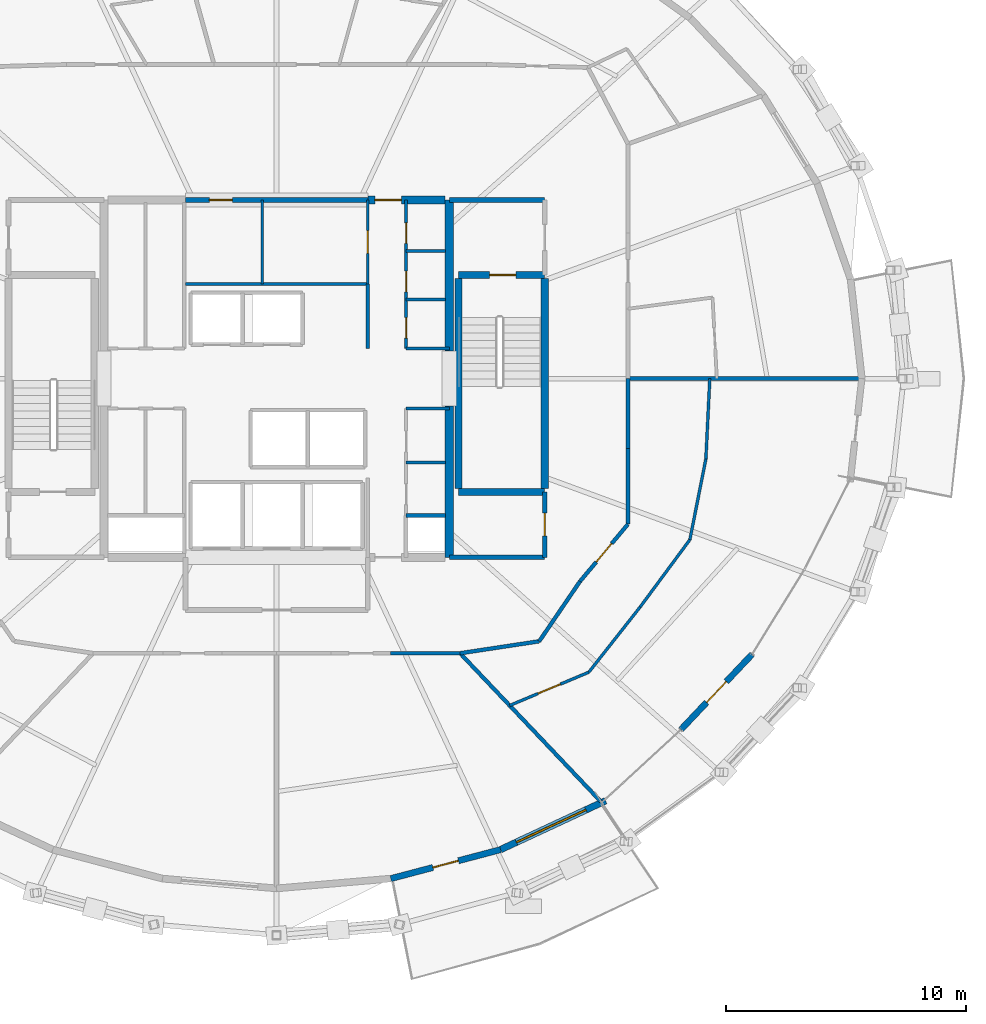
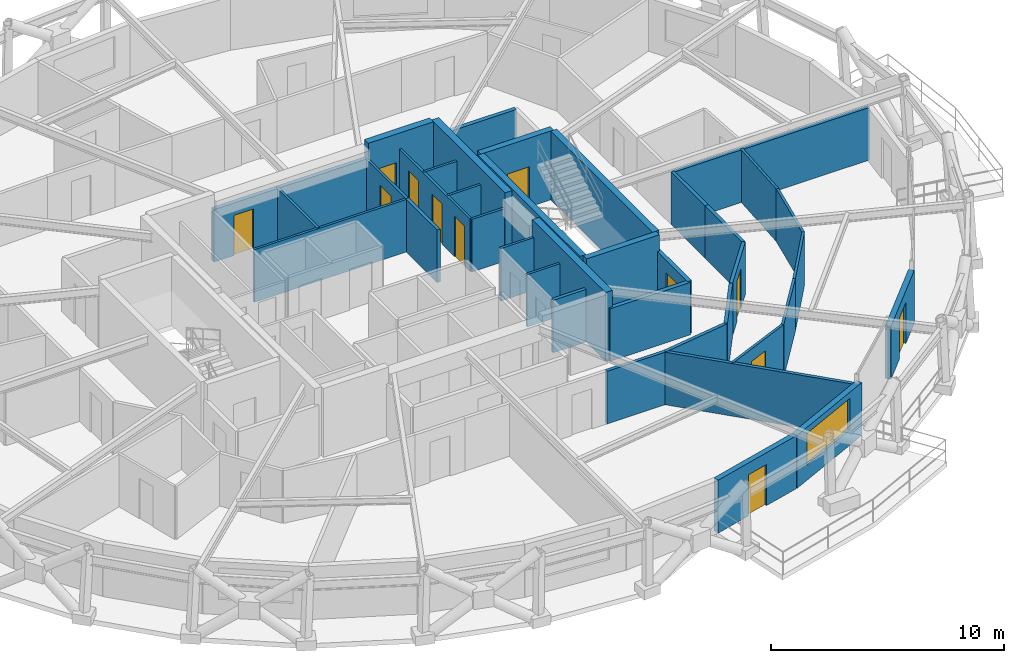
# One storey, part 11 of 14: 38 walls, 12 doors, 1 window, 13 openings.
"""IFC4 building model written with IfcOpenShell, lengths in metres."""

from ifc_helpers import new_model, si_unit, direction, frame, frame_2d, origin, place, context, subcontext, project, spatial, rectangle, extrude, material, layer, layer_set, type_object, element, fill, save


model = new_model("IFC4")

# Units and contexts
model_context = context("Model", 3, precision=1e-05, world=origin(), true_north=direction((0.0, 1.0)))
body_context = subcontext(model_context, "Body", "Model", "MODEL_VIEW")
ifc_project = project(units=[si_unit("LENGTHUNIT", "METRE"), si_unit("AREAUNIT", "SQUARE_METRE"), si_unit("VOLUMEUNIT", "CUBIC_METRE"), si_unit("PLANEANGLEUNIT", "RADIAN"), si_unit("MASSUNIT", "GRAM", prefix="KILO")], contexts=[model_context])

# Site, building, storey
site_placement = place(None, origin())
site = spatial("IfcSite", under=ifc_project, at=site_placement, CompositionType="ELEMENT")
building_placement = place(site_placement, origin())
building = spatial("IfcBuilding", under=site, at=building_placement, Name="Veldorina Hangang Commons", CompositionType="ELEMENT")
storey_placement = place(building_placement, frame((0.0, 0.0, 200.0)))
storey = spatial("IfcBuildingStorey", under=building, at=storey_placement, Name="L52", CompositionType="ELEMENT", Elevation=200.0)

# Walls
ifc_material_1 = material(Name="Concrete C60/75", Category="concrete")
ifc_layer_1 = layer(ifc_material_1, 0.340087890625)
ifc_layer_set_1 = layer_set([ifc_layer_1], Name="Concrete C60/75")
wall_type_1 = type_object("IfcWallType", Name="CW-RC340-C60", PredefinedType="SHEAR", material=ifc_layer_set_1)
for number, where, z_axis, x_axis, name in (
    (1, (39.199951171875, 16.550048828125, 0.0), (0.0, 0.0, 1.0), (0.0, 1.0, 0.0), "L52 E south core shear wall"),
    (2, (39.199951171875, 25.14990234375, 0.0), (0.0, 0.0, 1.0), (0.0, 1.0, 0.0), "L52 E north core shear wall"),
):
    element("IfcWall", number, at=place(storey_placement, frame(where, z_axis=z_axis, x_axis=x_axis)), inside=storey, type_object=wall_type_1, Name=name, PredefinedType="SHEAR", context=body_context, shape_type="SweptSolid", body=[
        extrude(rectangle(XDim=6.300048828125, YDim=0.340087890625, at=frame_2d((3.14990234375, 0.0))), origin(), (0.0, 0.0, 1.0), 3.60009765625),
    ])

# Wall, opening, door
wall_1_placement = place(storey_placement, frame((35.800048828125, 31.449951171875, 0.0), z_axis=(0.0, 0.0, 1.0), x_axis=(1.0, 0.0, 0.0)))
wall_1 = element("IfcWall", 3, at=wall_1_placement, inside=storey, type_object=wall_type_1, Name="L52 north-east core shear wall", PredefinedType="SHEAR", context=body_context, shape_type="SweptSolid", body=[
    extrude(rectangle(XDim=3.22998046875, YDim=0.340087890625, at=frame_2d((1.614990234375, 0.0))), origin(), (0.0, 0.0, 1.0), 3.60009765625),
])
opening_1_placement = place(wall_1_placement, frame((0.300048828125, 0.0, 0.0)))
opening_1 = element("IfcOpeningElement", 4, at=opening_1_placement, cuts=wall_1, Name="Opening D-08", PredefinedType="OPENING", context=body_context, shape_type="SweptSolid", body=[
    extrude(rectangle(XDim=1.10009765625, YDim=2.10009765625, at=frame_2d((0.550048828125, 1.050048828125))), frame((0.0, 0.18017578125, 0.0), z_axis=(0.0, -1.0, 0.0), x_axis=(1.0, 0.0, 0.0)), (0.0, 0.0, 1.0), 0.360107421875),
])
ifc_material_2 = material(Name="Steel Fire-Rated Smoke Seal", Category="steel")
door_type_1 = type_object("IfcDoorType", Name="DR-FIRE-1100", OperationType="SINGLE_SWING_RIGHT", PredefinedType="DOOR", material=ifc_material_2)
door_1_placement = place(opening_1_placement, origin())
door_1 = element("IfcDoor", 5, at=door_1_placement, inside=storey, type_object=door_type_1, Name="L52 central lift lobby north corridor door", OperationType="SINGLE_SWING_LEFT", OverallHeight=2.10009765625, OverallWidth=1.10009765625, PredefinedType="DOOR", context=body_context, shape_type="SweptSolid", body=[
    extrude(rectangle(XDim=1.10009765625, YDim=2.10009765625, at=frame_2d((0.550048828125, 1.050048828125))), frame((0.0, 0.02490234375, 0.0), z_axis=(0.0, -1.0, 0.0), x_axis=(1.0, 0.0, 0.0)), (0.0, 0.0, 1.0), 0.050048828125),
])
fill(opening_1, door_1)

ifc_material_3 = material(Name="Stone Roman Travertine", Category="masonry")
ifc_layer_2 = layer(ifc_material_3, 0.260009765625)
ifc_layer_set_2 = layer_set([ifc_layer_2], Name="Stone Roman Travertine")
wall_type_2 = type_object("IfcWallType", Name="EW-LOGGIA-260", PredefinedType="STANDARD", material=ifc_layer_set_2)
wall_2_placement = place(storey_placement, frame((36.76025390625, 3.1533203125, 0.0), z_axis=(0.0, 0.0, 1.0), x_axis=(0.966819561224, 0.255460243549, 0.0)))
wall_2 = element("IfcWall", 6, at=wall_2_placement, inside=storey, type_object=wall_type_2, Name="L52 sky-garden loggia portal wall 25", PredefinedType="STANDARD", context=body_context, shape_type="SweptSolid", body=[
    extrude(rectangle(XDim=4.734375, YDim=0.260009765625, at=frame_2d((2.3671875, 0.0))), origin(), (0.0, 0.0, 1.0), 2.77001953125),
])
opening_2_placement = place(wall_2_placement, frame((1.8173828125, 0.0, 0.0)))
opening_2 = element("IfcOpeningElement", 7, at=opening_2_placement, cuts=wall_2, Name="Opening BD-1100", PredefinedType="OPENING", context=body_context, shape_type="SweptSolid", body=[
    extrude(rectangle(XDim=1.10009765625, YDim=2.14990234375, at=frame_2d((0.550048828125, 1.074951171875))), frame((0.0, 0.14013671875, 0.0), z_axis=(0.0, -1.0, 0.0), x_axis=(1.0, 0.0, 0.0)), (0.0, 0.0, 1.0), 0.280029296875),
])
ifc_material_4 = material(Name="Glass Thermal Aluminium Frame", Category="aluminium")
door_type_2 = type_object("IfcDoorType", Name="DR-EXT-BAL1100", OperationType="SINGLE_SWING_RIGHT", PredefinedType="DOOR", material=ifc_material_4)
door_2_placement = place(opening_2_placement, origin())
door_2 = element("IfcDoor", 8, at=door_2_placement, inside=storey, type_object=door_type_2, Name="L52 tree balcony glazed exterior door 25", OperationType="SINGLE_SWING_RIGHT", OverallHeight=2.14990234375, OverallWidth=1.10009765625, PredefinedType="DOOR", context=body_context, shape_type="SweptSolid", body=[
    extrude(rectangle(XDim=1.10009765625, YDim=2.14990234375, at=frame_2d((0.550048828125, 1.074951171875))), frame((0.0, 0.02490234375, 0.0), z_axis=(0.0, -1.0, 0.0), x_axis=(1.0, 0.0, 0.0)), (0.0, 0.0, 1.0), 0.050048828125),
])
fill(opening_2, door_2)

wall_3_placement = place(storey_placement, frame((48.85791015625, 9.3662109375, 0.0), z_axis=(0.0, 0.0, 1.0), x_axis=(0.686972279874, 0.726683622139, 0.0)))
wall_3 = element("IfcWall", 9, at=wall_3_placement, inside=storey, type_object=wall_type_2, Name="L52 sky-garden loggia portal wall 28", PredefinedType="STANDARD", context=body_context, shape_type="SweptSolid", body=[
    extrude(rectangle(XDim=4.31591796875, YDim=0.260009765625, at=frame_2d((2.157958984375, 0.0))), origin(), (0.0, 0.0, 1.0), 2.77001953125),
])
opening_3_placement = place(wall_3_placement, frame((1.557861328125, 0.0, 0.0)))
opening_3 = element("IfcOpeningElement", 10, at=opening_3_placement, cuts=wall_3, Name="Opening BD-1200", PredefinedType="OPENING", context=body_context, shape_type="SweptSolid", body=[
    extrude(rectangle(XDim=1.199951171875, YDim=2.14990234375, at=frame_2d((0.60009765625, 1.074951171875))), frame((0.0, 0.14013671875, 0.0), z_axis=(0.0, -1.0, 0.0), x_axis=(1.0, 0.0, 0.0)), (0.0, 0.0, 1.0), 0.280029296875),
])
door_type_3 = type_object("IfcDoorType", Name="DR-EXT-LOG1200", OperationType="SINGLE_SWING_LEFT", PredefinedType="DOOR", material=ifc_material_4)
door_3_placement = place(opening_3_placement, origin())
door_3 = element("IfcDoor", 11, at=door_3_placement, inside=storey, type_object=door_type_3, Name="L52 loggia glazed exterior door 28", OperationType="SINGLE_SWING_LEFT", OverallHeight=2.14990234375, OverallWidth=1.199951171875, PredefinedType="DOOR", context=body_context, shape_type="SweptSolid", body=[
    extrude(rectangle(XDim=1.199951171875, YDim=2.14990234375, at=frame_2d((0.60009765625, 1.074951171875))), frame((0.0, 0.02490234375, 0.0), z_axis=(0.0, -1.0, 0.0), x_axis=(1.0, 0.0, 0.0)), (0.0, 0.0, 1.0), 0.050048828125),
])
fill(opening_3, door_3)

# Wall, opening, window
ifc_layer_3 = layer(ifc_material_3, 0.280029296875)
ifc_layer_set_3 = layer_set([ifc_layer_3], Name="Stone Roman Travertine")
wall_type_3 = type_object("IfcWallType", Name="EW-TRAV-280", PredefinedType="STANDARD", material=ifc_layer_set_3)
wall_4_placement = place(storey_placement, frame((41.337646484375, 4.36279296875, 0.0), z_axis=(0.0, 0.0, 1.0), x_axis=(0.906549700707, 0.422099088068, 0.0)))
wall_4 = element("IfcWall", 12, at=wall_4_placement, inside=storey, type_object=wall_type_3, Name="L52 travertine facade wall 26", PredefinedType="STANDARD", context=body_context, shape_type="SweptSolid", body=[
    extrude(rectangle(XDim=4.827880859375, YDim=0.280029296875, at=frame_2d((2.4140625, 0.0))), origin(), (0.0, 0.0, 1.0), 2.77001953125),
])
opening_4_placement = place(wall_4_placement, frame((0.726806640625, 0.0, 0.800048828125)))
opening_4 = element("IfcOpeningElement", 13, at=opening_4_placement, cuts=wall_4, Name="Opening W-01", PredefinedType="OPENING", context=body_context, shape_type="SweptSolid", body=[
    extrude(rectangle(XDim=3.199951171875, YDim=1.64990234375, at=frame_2d((1.60009765625, 0.824951171875))), frame((0.0, 0.14990234375, 0.0), z_axis=(0.0, -1.0, 0.0), x_axis=(1.0, 0.0, 0.0)), (0.0, 0.0, 1.0), 0.300048828125),
])
ifc_material_5 = material(Name="Glass Low-E Triple IGU", Category="glass")
window_type = type_object("IfcWindowType", Name="WIN-TWR-3200", PartitioningType="SINGLE_PANEL", PredefinedType="WINDOW", material=ifc_material_5)
window_placement = place(opening_4_placement, origin())
window = element("IfcWindow", 14, at=window_placement, inside=storey, type_object=window_type, Name="L52 facade window 26", OverallHeight=1.64990234375, OverallWidth=3.199951171875, PartitioningType="SINGLE_PANEL", PredefinedType="WINDOW", context=body_context, shape_type="SweptSolid", body=[
    extrude(rectangle(XDim=3.199951171875, YDim=1.64990234375, at=frame_2d((1.60009765625, 0.824951171875))), frame((0.0, 0.030029296875, 0.0), z_axis=(0.0, -1.0, 0.0), x_axis=(1.0, 0.0, 0.0)), (0.0, 0.0, 1.0), 0.06005859375),
])
fill(opening_4, window)

# Walls
ifc_material_6 = material(Name="Concrete C50/60", Category="concrete")
ifc_layer_4 = layer(ifc_material_6, 0.300048828125)
ifc_layer_set_4 = layer_set([ifc_layer_4], Name="Concrete C50/60")
wall_type_4 = type_object("IfcWallType", Name="SW-STAIR-300", PredefinedType="SHEAR", material=ifc_layer_set_4)
for number, where, z_axis, x_axis, name in (
    (15, (43.179931640625, 19.429931640625, 0.0), (0.0, 0.0, 1.0), (0.0, 1.0, 0.0), "L52 ST2 outer stair shear wall"),
    (16, (39.580078125, 19.429931640625, 0.0), (0.0, 0.0, 1.0), (0.0, 1.0, 0.0), "L52 ST2 inner stair shear wall"),
):
    element("IfcWall", number, at=place(storey_placement, frame(where, z_axis=z_axis, x_axis=x_axis)), inside=storey, type_object=wall_type_4, Name=name, PredefinedType="SHEAR", context=body_context, shape_type="SweptSolid", body=[
        extrude(rectangle(XDim=8.739990234375, YDim=0.300048828125, at=frame_2d((4.3701171875, 0.0))), origin(), (0.0, 0.0, 1.0), 3.60009765625),
    ])
wall_5_placement = place(storey_placement, frame((39.580078125, 19.280029296875, 0.0), z_axis=(0.0, 0.0, 1.0), x_axis=(1.0, 0.0, 0.0)))
element("IfcWall", 17, at=wall_5_placement, inside=storey, type_object=wall_type_4, Name="L52 ST2 south stair shear wall", PredefinedType="SHEAR", context=body_context, shape_type="SweptSolid", body=[
    extrude(rectangle(XDim=3.599853515625, YDim=0.300048828125, at=frame_2d((1.7998046875, 0.0))), origin(), (0.0, 0.0, 1.0), 3.60009765625),
])

# Wall, opening, door
wall_6_placement = place(storey_placement, frame((39.580078125, 28.320068359375, 0.0), z_axis=(0.0, 0.0, 1.0), x_axis=(1.0, 0.0, 0.0)))
wall_6 = element("IfcWall", 18, at=wall_6_placement, inside=storey, type_object=wall_type_4, Name="L52 ST2 north stair shear wall", PredefinedType="SHEAR", context=body_context, shape_type="SweptSolid", body=[
    extrude(rectangle(XDim=3.599853515625, YDim=0.300048828125, at=frame_2d((1.7998046875, 0.0))), origin(), (0.0, 0.0, 1.0), 3.60009765625),
])
opening_5_placement = place(wall_6_placement, frame((1.300048828125, 0.0, 0.0)))
opening_5 = element("IfcOpeningElement", 19, at=opening_5_placement, cuts=wall_6, Name="Opening D-08", PredefinedType="OPENING", context=body_context, shape_type="SweptSolid", body=[
    extrude(rectangle(XDim=1.10009765625, YDim=2.10009765625, at=frame_2d((0.550048828125, 1.050048828125))), frame((0.0, 0.16015625, 0.0), z_axis=(0.0, -1.0, 0.0), x_axis=(1.0, 0.0, 0.0)), (0.0, 0.0, 1.0), 0.320068359375),
])
door_4_placement = place(opening_5_placement, origin())
door_4 = element("IfcDoor", 20, at=door_4_placement, inside=storey, type_object=door_type_1, Name="L52 Special Escape Stair ST-2 door", OperationType="SINGLE_SWING_RIGHT", OverallHeight=2.10009765625, OverallWidth=1.10009765625, PredefinedType="DOOR", context=body_context, shape_type="SweptSolid", body=[
    extrude(rectangle(XDim=1.10009765625, YDim=2.10009765625, at=frame_2d((0.550048828125, 1.050048828125))), frame((0.0, 0.02490234375, 0.0), z_axis=(0.0, -1.0, 0.0), x_axis=(1.0, 0.0, 0.0)), (0.0, 0.0, 1.0), 0.050048828125),
])
fill(opening_5, door_4)

# Walls
ifc_material_7 = material(Name="Gypsum Fire-Rated Twin Stud Wall", Category="gypsum")
ifc_layer_5 = layer(ifc_material_7, 0.159912109375)
ifc_layer_set_5 = layer_set([ifc_layer_5], Name="Gypsum Fire-Rated Twin Stud Wall")
wall_type_5 = type_object("IfcWallType", Name="WL-FIRE-160", PredefinedType="SOLIDWALL", material=ifc_layer_set_5)
wall_7_placement = place(storey_placement, frame((35.800048828125, 25.25, 0.0), z_axis=(0.0, 0.0, 1.0), x_axis=(0.0, 1.0, 0.0)))
element("IfcWall", 21, at=wall_7_placement, inside=storey, type_object=wall_type_5, Name="L52 Lift passage NW lower wall 011", PredefinedType="SOLIDWALL", context=body_context, shape_type="SweptSolid", body=[
    extrude(rectangle(XDim=2.699951171875, YDim=0.159912109375, at=frame_2d((1.35009765625, 0.0))), origin(), (0.0, 0.0, 1.0), 2.75),
])
wall_8_placement = place(storey_placement, frame((37.39990234375, 18.300048828125, 0.0), z_axis=(0.0, 0.0, 1.0), x_axis=(1.0, 0.0, 0.0)))
element("IfcWall", 22, at=wall_8_placement, inside=storey, type_object=wall_type_5, Name="L52 Plumbing riser wall 037", PredefinedType="SOLIDWALL", context=body_context, shape_type="SweptSolid", body=[
    extrude(rectangle(XDim=1.650146484375, YDim=0.159912109375, at=frame_2d((0.8251953125, 0.0))), origin(), (0.0, 0.0, 1.0), 2.75),
])
wall_9_placement = place(storey_placement, frame((36.74267578125, 12.550048828125, 0.0), z_axis=(0.0, 0.0, 1.0), x_axis=(1.0, 0.0, 0.0)))
element("IfcWall", 23, at=wall_9_placement, inside=storey, type_object=wall_type_5, Name="L52 U-corridor outer wall 26 076", PredefinedType="SOLIDWALL", context=body_context, shape_type="SweptSolid", body=[
    extrude(rectangle(XDim=2.907958984375, YDim=0.159912109375, at=frame_2d((1.4541015625, 0.0))), origin(), (0.0, 0.0, 1.0), 2.75),
])
wall_10_placement = place(storey_placement, frame((39.650634765625, 12.550048828125, 0.0), z_axis=(0.0, 0.0, 1.0), x_axis=(0.988710906508, 0.149835721217, 0.0)))
element("IfcWall", 24, at=wall_10_placement, inside=storey, type_object=wall_type_5, Name="L52 U-corridor outer wall 27 077", PredefinedType="SOLIDWALL", context=body_context, shape_type="SweptSolid", body=[
    extrude(rectangle(XDim=3.3369140625, YDim=0.159912109375, at=frame_2d((1.66845703125, 0.0))), origin(), (0.0, 0.0, 1.0), 2.75),
])
wall_11_placement = place(storey_placement, frame((42.949951171875, 13.050048828125, 0.0), z_axis=(0.0, 0.0, 1.0), x_axis=(0.562674669208, 0.826678423955, 0.0)))
element("IfcWall", 25, at=wall_11_placement, inside=storey, type_object=wall_type_5, Name="L52 U-corridor outer wall 28 078", PredefinedType="SOLIDWALL", context=body_context, shape_type="SweptSolid", body=[
    extrude(rectangle(XDim=3.021240234375, YDim=0.159912109375, at=frame_2d((1.5107421875, 0.0))), origin(), (0.0, 0.0, 1.0), 2.75),
])

# Wall, opening, door
wall_12_placement = place(storey_placement, frame((44.64990234375, 15.547607421875, 0.0), z_axis=(0.0, 0.0, 1.0), x_axis=(0.642665742791, 0.76614668507, 0.0)))
wall_12 = element("IfcWall", 26, at=wall_12_placement, inside=storey, type_object=wall_type_5, Name="L52 U-corridor outer wall 29 079", PredefinedType="SOLIDWALL", context=body_context, shape_type="SweptSolid", body=[
    extrude(rectangle(XDim=3.112060546875, YDim=0.159912109375, at=frame_2d((1.55615234375, 0.0))), origin(), (0.0, 0.0, 1.0), 2.75),
])
opening_6_placement = place(wall_12_placement, frame((1.055908203125, 0.0, 0.0)))
opening_6 = element("IfcOpeningElement", 27, at=opening_6_placement, cuts=wall_12, Name="Opening D-05", PredefinedType="OPENING", context=body_context, shape_type="SweptSolid", body=[
    extrude(rectangle(XDim=1.0, YDim=2.10009765625, at=frame_2d((0.5, 1.050048828125))), frame((0.0, 0.08984375, 0.0), z_axis=(0.0, -1.0, 0.0), x_axis=(1.0, 0.0, 0.0)), (0.0, 0.0, 1.0), 0.179931640625),
])
ifc_material_8 = material(Name="Timber Solid Core Acoustic", Category="wood")
door_type_4 = type_object("IfcDoorType", Name="DR-INT-1000", OperationType="SINGLE_SWING_RIGHT", PredefinedType="DOOR", material=ifc_material_8)
door_5_placement = place(opening_6_placement, origin())
door_5 = element("IfcDoor", 28, at=door_5_placement, inside=storey, type_object=door_type_4, Name="L52 Commons alcove door 022", OperationType="SINGLE_SWING_RIGHT", OverallHeight=2.10009765625, OverallWidth=1.0, PredefinedType="DOOR", context=body_context, shape_type="SweptSolid", body=[
    extrude(rectangle(XDim=1.0, YDim=2.10009765625, at=frame_2d((0.5, 1.050048828125))), frame((0.0, 0.02490234375, 0.0), z_axis=(0.0, -1.0, 0.0), x_axis=(1.0, 0.0, 0.0)), (0.0, 0.0, 1.0), 0.050048828125),
])
fill(opening_6, door_5)

# Walls
wall_13_placement = place(storey_placement, frame((46.64990234375, 17.931884765625, 0.0), z_axis=(0.0, 0.0, 1.0), x_axis=(0.0, 1.0, 0.0)))
element("IfcWall", 29, at=wall_13_placement, inside=storey, type_object=wall_type_5, Name="L52 U-corridor outer wall 30 080", PredefinedType="SOLIDWALL", context=body_context, shape_type="SweptSolid", body=[
    extrude(rectangle(XDim=3.154052734375, YDim=0.159912109375, at=frame_2d((1.5771484375, 0.0))), origin(), (0.0, 0.0, 1.0), 2.75),
])
wall_14_placement = place(storey_placement, frame((46.64990234375, 21.0859375, 0.0), z_axis=(0.0, 0.0, 1.0), x_axis=(0.0, 1.0, 0.0)))
element("IfcWall", 30, at=wall_14_placement, inside=storey, type_object=wall_type_5, Name="L52 U-corridor outer wall 31 081", PredefinedType="SOLIDWALL", context=body_context, shape_type="SweptSolid", body=[
    extrude(rectangle(XDim=2.9140625, YDim=0.159912109375, at=frame_2d((1.45703125, 0.0))), origin(), (0.0, 0.0, 1.0), 2.75),
])
wall_15_placement = place(storey_placement, frame((39.650634765625, 12.550048828125, 0.0), z_axis=(0.0, 0.0, 1.0), x_axis=(0.688358927094, -0.725370241662, 0.0)))
element("IfcWall", 31, at=wall_15_placement, inside=storey, type_object=wall_type_5, Name="L52 Unit party wall 27 082", PredefinedType="SOLIDWALL", context=body_context, shape_type="SweptSolid", body=[
    extrude(rectangle(XDim=8.529052734375, YDim=0.159912109375, at=frame_2d((4.2646484375, 0.0))), origin(), (0.0, 0.0, 1.0), 2.75),
])
wall_16_placement = place(storey_placement, frame((46.64990234375, 24.0, 0.0), z_axis=(0.0, 0.0, 1.0), x_axis=(1.0, 0.0, 0.0)))
element("IfcWall", 32, at=wall_16_placement, inside=storey, type_object=wall_type_5, Name="L52 Unit party wall 00 088", PredefinedType="SOLIDWALL", context=body_context, shape_type="SweptSolid", body=[
    extrude(rectangle(XDim=9.70068359375, YDim=0.159912109375, at=frame_2d((4.850341796875, 0.0))), origin(), (0.0, 0.0, 1.0), 2.75),
])
ifc_material_9 = material(Name="Concrete Blockwork Fire Wall C30/37", Category="masonry")
ifc_layer_6 = layer(ifc_material_9, 0.199951171875)
ifc_layer_set_6 = layer_set([ifc_layer_6], Name="Concrete Blockwork Fire Wall C30/37")
wall_type_6 = type_object("IfcWallType", Name="WL-FIRE-200", PredefinedType="SOLIDWALL", material=ifc_layer_set_6)
wall_17_placement = place(storey_placement, frame((39.199951171875, 31.449951171875, 0.0), z_axis=(0.0, 0.0, 1.0), x_axis=(1.0, 0.0, 0.0)))
element("IfcWall", 33, at=wall_17_placement, inside=storey, type_object=wall_type_6, Name="L52 East vestibule north wall 004", PredefinedType="SOLIDWALL", context=body_context, shape_type="SweptSolid", body=[
    extrude(rectangle(XDim=3.97998046875, YDim=0.199951171875, at=frame_2d((1.989990234375, 0.0))), origin(), (0.0, 0.0, 1.0), 2.75),
])

# Wall, opening, door
wall_18_placement = place(storey_placement, frame((43.179931640625, 16.550048828125, 0.0), z_axis=(0.0, 0.0, 1.0), x_axis=(0.0, 1.0, 0.0)))
wall_18 = element("IfcWall", 34, at=wall_18_placement, inside=storey, type_object=wall_type_6, Name="L52 SE core room outer wall 007", PredefinedType="SOLIDWALL", context=body_context, shape_type="SweptSolid", body=[
    extrude(rectangle(XDim=2.72998046875, YDim=0.199951171875, at=frame_2d((1.364990234375, 0.0))), origin(), (0.0, 0.0, 1.0), 2.75),
])
opening_7_placement = place(wall_18_placement, frame((0.889892578125, 0.0, 0.0)))
opening_7 = element("IfcOpeningElement", 35, at=opening_7_placement, cuts=wall_18, Name="Opening D-02", PredefinedType="OPENING", context=body_context, shape_type="SweptSolid", body=[
    extrude(rectangle(XDim=0.949951171875, YDim=2.10009765625, at=frame_2d((0.47509765625, 1.050048828125))), frame((0.0, 0.10986328125, 0.0), z_axis=(0.0, -1.0, 0.0), x_axis=(1.0, 0.0, 0.0)), (0.0, 0.0, 1.0), 0.219970703125),
])
door_type_5 = type_object("IfcDoorType", Name="DR-INT-950", OperationType="SINGLE_SWING_LEFT", PredefinedType="DOOR", material=ifc_material_8)
door_6_placement = place(opening_7_placement, origin())
door_6 = element("IfcDoor", 36, at=door_6_placement, inside=storey, type_object=door_type_5, Name="L52 SE core WC door 004", OperationType="SINGLE_SWING_RIGHT", OverallHeight=2.10009765625, OverallWidth=0.949951171875, PredefinedType="DOOR", context=body_context, shape_type="SweptSolid", body=[
    extrude(rectangle(XDim=0.949951171875, YDim=2.10009765625, at=frame_2d((0.47509765625, 1.050048828125))), frame((0.0, 0.02490234375, 0.0), z_axis=(0.0, -1.0, 0.0), x_axis=(1.0, 0.0, 0.0)), (0.0, 0.0, 1.0), 0.050048828125),
])
fill(opening_7, door_6)

# Wall
wall_19_placement = place(storey_placement, frame((39.199951171875, 16.550048828125, 0.0), z_axis=(0.0, 0.0, 1.0), x_axis=(1.0, 0.0, 0.0)))
element("IfcWall", 37, at=wall_19_placement, inside=storey, type_object=wall_type_6, Name="L52 SE core room south wall 008", PredefinedType="SOLIDWALL", context=body_context, shape_type="SweptSolid", body=[
    extrude(rectangle(XDim=3.97998046875, YDim=0.199951171875, at=frame_2d((1.989990234375, 0.0))), origin(), (0.0, 0.0, 1.0), 2.75),
])

# Wall, opening, door
wall_20_placement = place(storey_placement, frame((28.199951171875, 31.449951171875, 0.0), z_axis=(0.0, 0.0, 1.0), x_axis=(1.0, 0.0, 0.0)))
wall_20 = element("IfcWall", 38, at=wall_20_placement, inside=storey, type_object=wall_type_6, Name="L52 Merged north core wall 031", PredefinedType="SOLIDWALL", context=body_context, shape_type="SweptSolid", body=[
    extrude(rectangle(XDim=7.60009765625, YDim=0.199951171875, at=frame_2d((3.800048828125, 0.0))), origin(), (0.0, 0.0, 1.0), 2.75),
])
opening_8_placement = place(wall_20_placement, frame((1.0, 0.0, 0.0)))
opening_8 = element("IfcOpeningElement", 39, at=opening_8_placement, cuts=wall_20, Name="Opening D-02", PredefinedType="OPENING", context=body_context, shape_type="SweptSolid", body=[
    extrude(rectangle(XDim=0.949951171875, YDim=2.10009765625, at=frame_2d((0.47509765625, 1.050048828125))), frame((0.0, 0.10986328125, 0.0), z_axis=(0.0, -1.0, 0.0), x_axis=(1.0, 0.0, 0.0)), (0.0, 0.0, 1.0), 0.219970703125),
])
door_7_placement = place(opening_8_placement, origin())
door_7 = element("IfcDoor", 40, at=door_7_placement, inside=storey, type_object=door_type_5, Name="L52 Core study alcove door 011", OperationType="SINGLE_SWING_LEFT", OverallHeight=2.10009765625, OverallWidth=0.949951171875, PredefinedType="DOOR", context=body_context, shape_type="SweptSolid", body=[
    extrude(rectangle(XDim=0.949951171875, YDim=2.10009765625, at=frame_2d((0.47509765625, 1.050048828125))), frame((0.0, 0.02490234375, 0.0), z_axis=(0.0, -1.0, 0.0), x_axis=(1.0, 0.0, 0.0)), (0.0, 0.0, 1.0), 0.050048828125),
])
fill(opening_8, door_7)

# Wall
ifc_material_10 = material(Name="Gypsum Acoustic Stud Partition", Category="gypsum")
ifc_layer_7 = layer(ifc_material_10, 0.1201171875)
ifc_layer_set_7 = layer_set([ifc_layer_7], Name="Gypsum Acoustic Stud Partition")
wall_type_7 = type_object("IfcWallType", Name="WL-PART-120", PredefinedType="PARTITIONING", material=ifc_layer_set_7)
wall_21_placement = place(storey_placement, frame((28.199951171875, 27.949951171875, 0.0), z_axis=(0.0, 0.0, 1.0), x_axis=(1.0, 0.0, 0.0)))
element("IfcWall", 41, at=wall_21_placement, inside=storey, type_object=wall_type_7, Name="L52 Merged north south wall 032", PredefinedType="PARTITIONING", context=body_context, shape_type="SweptSolid", body=[
    extrude(rectangle(XDim=7.60009765625, YDim=0.1201171875, at=frame_2d((3.800048828125, 0.0))), origin(), (0.0, 0.0, 1.0), 2.75),
])

# Wall, opening, door
wall_22_placement = place(storey_placement, frame((35.800048828125, 27.949951171875, 0.0), z_axis=(0.0, 0.0, 1.0), x_axis=(0.0, 1.0, 0.0)))
wall_22 = element("IfcWall", 42, at=wall_22_placement, inside=storey, type_object=wall_type_7, Name="L52 Merged north east wall 033", PredefinedType="PARTITIONING", context=body_context, shape_type="SweptSolid", body=[
    extrude(rectangle(XDim=3.5, YDim=0.1201171875, at=frame_2d((1.75, 0.0))), origin(), (0.0, 0.0, 1.0), 2.75),
])
opening_9_placement = place(wall_22_placement, frame((1.27490234375, 0.0, 0.0)))
opening_9 = element("IfcOpeningElement", 43, at=opening_9_placement, cuts=wall_22, Name="Opening D-02", PredefinedType="OPENING", context=body_context, shape_type="SweptSolid", body=[
    extrude(rectangle(XDim=0.949951171875, YDim=2.10009765625, at=frame_2d((0.47509765625, 1.050048828125))), frame((0.0, 0.070068359375, 0.0), z_axis=(0.0, -1.0, 0.0), x_axis=(1.0, 0.0, 0.0)), (0.0, 0.0, 1.0), 0.14013671875),
])
door_8_placement = place(opening_9_placement, origin())
door_8 = element("IfcDoor", 44, at=door_8_placement, inside=storey, type_object=door_type_5, Name="L52 Core linen store door 012", OperationType="SINGLE_SWING_RIGHT", OverallHeight=2.10009765625, OverallWidth=0.949951171875, PredefinedType="DOOR", context=body_context, shape_type="SweptSolid", body=[
    extrude(rectangle(XDim=0.949951171875, YDim=2.10009765625, at=frame_2d((0.47509765625, 1.050048828125))), frame((0.0, 0.02490234375, 0.0), z_axis=(0.0, -1.0, 0.0), x_axis=(1.0, 0.0, 0.0)), (0.0, 0.0, 1.0), 0.050048828125),
])
fill(opening_9, door_8)

# Wall
wall_23_placement = place(storey_placement, frame((31.39990234375, 27.949951171875, 0.0), z_axis=(0.0, 0.0, 1.0), x_axis=(0.0, 1.0, 0.0)))
element("IfcWall", 45, at=wall_23_placement, inside=storey, type_object=wall_type_7, Name="L52 Merged north split wall 034", PredefinedType="PARTITIONING", context=body_context, shape_type="SweptSolid", body=[
    extrude(rectangle(XDim=3.5, YDim=0.1201171875, at=frame_2d((1.75, 0.0))), origin(), (0.0, 0.0, 1.0), 2.75),
])

# Wall, openings, doors
wall_24_placement = place(storey_placement, frame((37.39990234375, 25.25, 0.0), z_axis=(0.0, 0.0, 1.0), x_axis=(0.0, 1.0, 0.0)))
wall_24 = element("IfcWall", 46, at=wall_24_placement, inside=storey, type_object=wall_type_7, Name="L52 NE strip lobby wall 041", PredefinedType="PARTITIONING", context=body_context, shape_type="SweptSolid", body=[
    extrude(rectangle(XDim=6.199951171875, YDim=0.1201171875, at=frame_2d((3.10009765625, 0.0))), origin(), (0.0, 0.0, 1.0), 2.75),
])
opening_10_placement = place(wall_24_placement, frame((0.43994140625, 0.0, 0.0)))
opening_10 = element("IfcOpeningElement", 47, at=opening_10_placement, cuts=wall_24, Name="Opening D-01", PredefinedType="OPENING", context=body_context, shape_type="SweptSolid", body=[
    extrude(rectangle(XDim=0.860107421875, YDim=2.10009765625, at=frame_2d((0.43017578125, 1.050048828125))), frame((0.0, 0.070068359375, 0.0), z_axis=(0.0, -1.0, 0.0), x_axis=(1.0, 0.0, 0.0)), (0.0, 0.0, 1.0), 0.14013671875),
])
opening_11_placement = place(wall_24_placement, frame((2.3701171875, 0.0, 0.0)))
opening_11 = element("IfcOpeningElement", 48, at=opening_11_placement, cuts=wall_24, Name="Opening D-01", PredefinedType="OPENING", context=body_context, shape_type="SweptSolid", body=[
    extrude(rectangle(XDim=0.860107421875, YDim=2.10009765625, at=frame_2d((0.43017578125, 1.050048828125))), frame((0.0, 0.070068359375, 0.0), z_axis=(0.0, -1.0, 0.0), x_axis=(1.0, 0.0, 0.0)), (0.0, 0.0, 1.0), 0.14013671875),
])
opening_12_placement = place(wall_24_placement, frame((4.389892578125, 0.0, 0.0)))
opening_12 = element("IfcOpeningElement", 49, at=opening_12_placement, cuts=wall_24, Name="Opening D-01", PredefinedType="OPENING", context=body_context, shape_type="SweptSolid", body=[
    extrude(rectangle(XDim=0.860107421875, YDim=2.10009765625, at=frame_2d((0.43017578125, 1.050048828125))), frame((0.0, 0.070068359375, 0.0), z_axis=(0.0, -1.0, 0.0), x_axis=(1.0, 0.0, 0.0)), (0.0, 0.0, 1.0), 0.14013671875),
])
ifc_material_11 = material(Name="Timber Moisture-Resistant Core", Category="wood")
door_type_6 = type_object("IfcDoorType", Name="DR-WET-860", OperationType="SINGLE_SWING_LEFT", PredefinedType="DOOR", material=ifc_material_11)
door_9_placement = place(opening_10_placement, origin())
door_9 = element("IfcDoor", 50, at=door_9_placement, inside=storey, type_object=door_type_6, Name="L52 Fiber Riser Closet door 017", OperationType="SINGLE_SWING_LEFT", OverallHeight=2.10009765625, OverallWidth=0.860107421875, PredefinedType="DOOR", context=body_context, shape_type="SweptSolid", body=[
    extrude(rectangle(XDim=0.860107421875, YDim=2.10009765625, at=frame_2d((0.43017578125, 1.050048828125))), frame((0.0, 0.02490234375, 0.0), z_axis=(0.0, -1.0, 0.0), x_axis=(1.0, 0.0, 0.0)), (0.0, 0.0, 1.0), 0.050048828125),
])
fill(opening_10, door_9)
door_10_placement = place(opening_11_placement, origin())
door_10 = element("IfcDoor", 51, at=door_10_placement, inside=storey, type_object=door_type_6, Name="L52 AV Rack Closet door 018", OperationType="SINGLE_SWING_RIGHT", OverallHeight=2.10009765625, OverallWidth=0.860107421875, PredefinedType="DOOR", context=body_context, shape_type="SweptSolid", body=[
    extrude(rectangle(XDim=0.860107421875, YDim=2.10009765625, at=frame_2d((0.43017578125, 1.050048828125))), frame((0.0, 0.02490234375, 0.0), z_axis=(0.0, -1.0, 0.0), x_axis=(1.0, 0.0, 0.0)), (0.0, 0.0, 1.0), 0.050048828125),
])
fill(opening_11, door_10)
door_11_placement = place(opening_12_placement, origin())
door_11 = element("IfcDoor", 52, at=door_11_placement, inside=storey, type_object=door_type_6, Name="L52 Supply Closet door 019", OperationType="SINGLE_SWING_LEFT", OverallHeight=2.10009765625, OverallWidth=0.860107421875, PredefinedType="DOOR", context=body_context, shape_type="SweptSolid", body=[
    extrude(rectangle(XDim=0.860107421875, YDim=2.10009765625, at=frame_2d((0.43017578125, 1.050048828125))), frame((0.0, 0.02490234375, 0.0), z_axis=(0.0, -1.0, 0.0), x_axis=(1.0, 0.0, 0.0)), (0.0, 0.0, 1.0), 0.050048828125),
])
fill(opening_12, door_11)

# Walls
for number, where, z_axis, x_axis, name in (
    (53, (37.39990234375, 25.25, 0.0), (0.0, 0.0, 1.0), (1.0, 0.0, 0.0), "L52 NE strip south return wall 042"),
    (54, (37.39990234375, 22.75, 0.0), (0.0, 0.0, 1.0), (1.0, 0.0, 0.0), "L52 SE strip north return wall 044"),
):
    element("IfcWall", number, at=place(storey_placement, frame(where, z_axis=z_axis, x_axis=x_axis)), inside=storey, type_object=wall_type_7, Name=name, PredefinedType="PARTITIONING", context=body_context, shape_type="SweptSolid", body=[
        extrude(rectangle(XDim=1.800048828125, YDim=0.1201171875, at=frame_2d((0.89990234375, 0.0))), origin(), (0.0, 0.0, 1.0), 2.75),
    ])
for number, where, z_axis, x_axis, name in (
    (55, (37.39990234375, 27.300048828125, 0.0), (0.0, 0.0, 1.0), (1.0, 0.0, 0.0), "L52 NE split 1 047"),
    (56, (37.39990234375, 29.330078125, 0.0), (0.0, 0.0, 1.0), (1.0, 0.0, 0.0), "L52 NE split 2 048"),
    (57, (37.39990234375, 20.5, 0.0), (0.0, 0.0, 1.0), (1.0, 0.0, 0.0), "L52 SE horizontal split 049"),
):
    element("IfcWall", number, at=place(storey_placement, frame(where, z_axis=z_axis, x_axis=x_axis)), inside=storey, type_object=wall_type_7, Name=name, PredefinedType="PARTITIONING", context=body_context, shape_type="SweptSolid", body=[
        extrude(rectangle(XDim=1.650146484375, YDim=0.1201171875, at=frame_2d((0.8251953125, 0.0))), origin(), (0.0, 0.0, 1.0), 2.75),
    ])

# Wall, opening, door
wall_25_placement = place(storey_placement, frame((41.717529296875, 10.371826171875, 0.0), z_axis=(0.0, 0.0, 1.0), x_axis=(0.921693123921, 0.387919818154, 0.0)))
wall_25 = element("IfcWall", 58, at=wall_25_placement, inside=storey, type_object=wall_type_7, Name="L52 Lounge alcove split 0 083", PredefinedType="PARTITIONING", context=body_context, shape_type="SweptSolid", body=[
    extrude(rectangle(XDim=3.580322265625, YDim=0.1201171875, at=frame_2d((1.7900390625, 0.0))), origin(), (0.0, 0.0, 1.0), 2.75),
])
opening_13_placement = place(wall_25_placement, frame((1.290283203125, 0.0, 0.0)))
opening_13 = element("IfcOpeningElement", 59, at=opening_13_placement, cuts=wall_25, Name="Opening D-05", PredefinedType="OPENING", context=body_context, shape_type="SweptSolid", body=[
    extrude(rectangle(XDim=1.0, YDim=2.10009765625, at=frame_2d((0.5, 1.050048828125))), frame((0.0, 0.070068359375, 0.0), z_axis=(0.0, -1.0, 0.0), x_axis=(1.0, 0.0, 0.0)), (0.0, 0.0, 1.0), 0.14013671875),
])
door_12_placement = place(opening_13_placement, origin())
door_12 = element("IfcDoor", 60, at=door_12_placement, inside=storey, type_object=door_type_4, Name="L52 Commons lounge door 023", OperationType="SINGLE_SWING_LEFT", OverallHeight=2.10009765625, OverallWidth=1.0, PredefinedType="DOOR", context=body_context, shape_type="SweptSolid", body=[
    extrude(rectangle(XDim=1.0, YDim=2.10009765625, at=frame_2d((0.5, 1.050048828125))), frame((0.0, 0.02490234375, 0.0), z_axis=(0.0, -1.0, 0.0), x_axis=(1.0, 0.0, 0.0)), (0.0, 0.0, 1.0), 0.050048828125),
])
fill(opening_13, door_12)

# Walls
wall_26_placement = place(storey_placement, frame((45.017578125, 11.7607421875, 0.0), z_axis=(0.0, 0.0, 1.0), x_axis=(0.618702194265, 0.785625607278, 0.0)))
element("IfcWall", 61, at=wall_26_placement, inside=storey, type_object=wall_type_7, Name="L52 Lounge alcove split 1 084", PredefinedType="PARTITIONING", context=body_context, shape_type="SweptSolid", body=[
    extrude(rectangle(XDim=3.46337890625, YDim=0.1201171875, at=frame_2d((1.731689453125, 0.0))), origin(), (0.0, 0.0, 1.0), 2.75),
])
wall_27_placement = place(storey_placement, frame((47.160400390625, 14.481689453125, 0.0), z_axis=(0.0, 0.0, 1.0), x_axis=(0.594391061084, 0.804176141466, 0.0)))
element("IfcWall", 62, at=wall_27_placement, inside=storey, type_object=wall_type_7, Name="L52 Lounge alcove split 2 085", PredefinedType="PARTITIONING", context=body_context, shape_type="SweptSolid", body=[
    extrude(rectangle(XDim=3.484375, YDim=0.1201171875, at=frame_2d((1.7421875, 0.0))), origin(), (0.0, 0.0, 1.0), 2.75),
])
wall_28_placement = place(storey_placement, frame((49.2314453125, 17.28369140625, 0.0), z_axis=(0.0, 0.0, 1.0), x_axis=(0.194175580381, 0.980966790459, 0.0)))
element("IfcWall", 63, at=wall_28_placement, inside=storey, type_object=wall_type_7, Name="L52 Lounge alcove split 3 086", PredefinedType="PARTITIONING", context=body_context, shape_type="SweptSolid", body=[
    extrude(rectangle(XDim=3.436279296875, YDim=0.1201171875, at=frame_2d((1.71826171875, 0.0))), origin(), (0.0, 0.0, 1.0), 2.75),
])
wall_29_placement = place(storey_placement, frame((49.898681640625, 20.654541015625, 0.0), z_axis=(0.0, 0.0, 1.0), x_axis=(0.048981492316, 0.998799686329, 0.0)))
element("IfcWall", 64, at=wall_29_placement, inside=storey, type_object=wall_type_7, Name="L52 Lounge alcove split 4 087", PredefinedType="PARTITIONING", context=body_context, shape_type="SweptSolid", body=[
    extrude(rectangle(XDim=3.349365234375, YDim=0.1201171875, at=frame_2d((1.6748046875, 0.0))), origin(), (0.0, 0.0, 1.0), 2.75),
])

save(model, "model.ifc")
